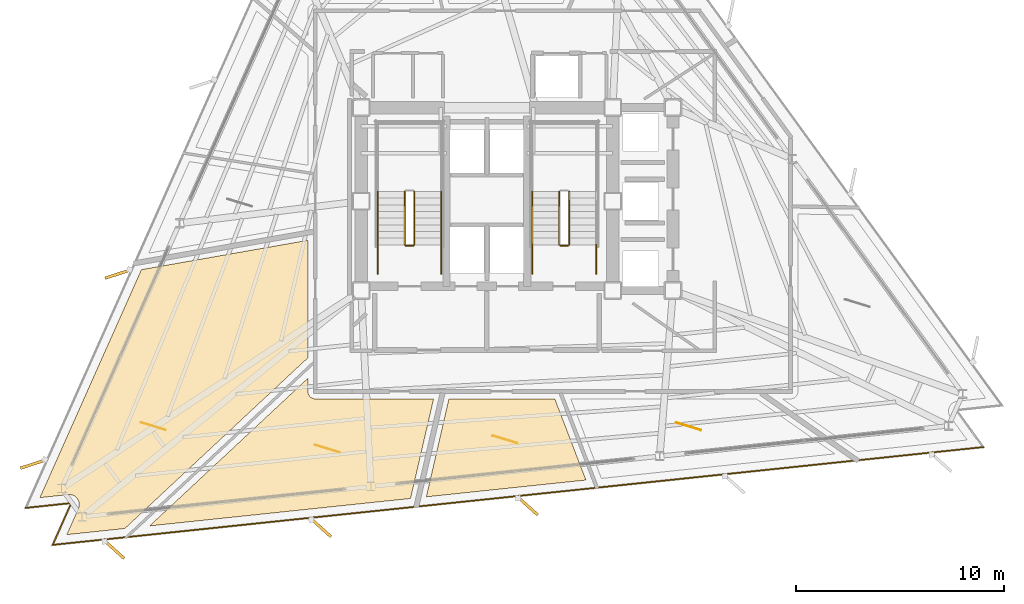
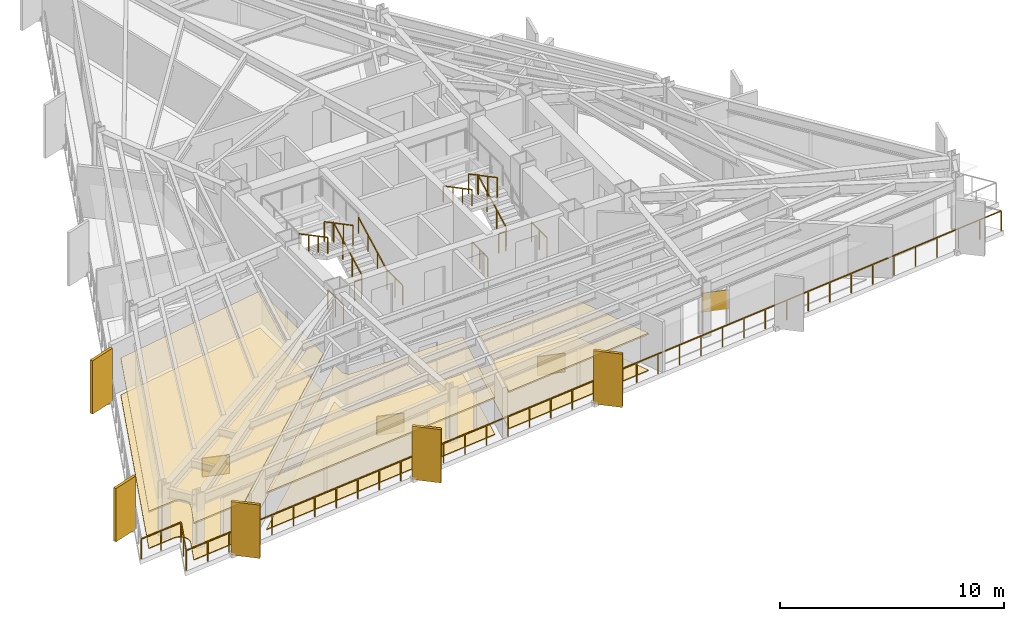
# One storey, part 10 of 12: 14 railings, 10 coverings, 5 shading devices.
"""IFC4 building model written with IfcOpenShell, lengths in metres."""

from ifc_helpers import new_model, si_unit, direction, frame, origin, origin_2d, place, context, subcontext, project, spatial, polyline, rectangle, outline, extrude, material, layer, layer_set, type_object, element, save


model = new_model("IFC4")

# Units and contexts
model_context = context("Model", 3, precision=1e-05, world=origin(), true_north=direction((0.0, 1.0)))
body_context = subcontext(model_context, "Body", "Model", "MODEL_VIEW")
ifc_project = project(units=[si_unit("LENGTHUNIT", "METRE"), si_unit("AREAUNIT", "SQUARE_METRE"), si_unit("VOLUMEUNIT", "CUBIC_METRE"), si_unit("PLANEANGLEUNIT", "RADIAN"), si_unit("MASSUNIT", "GRAM", prefix="KILO")], contexts=[model_context])

# Site, building, storey
site_placement = place(None, origin())
site = spatial("IfcSite", under=ifc_project, at=site_placement, CompositionType="ELEMENT")
building_placement = place(site_placement, origin())
building = spatial("IfcBuilding", under=site, at=building_placement, Name="Rocaltana Carrier Exchange", CompositionType="ELEMENT")
storey_placement = place(building_placement, frame((0.0, 0.0, 113.760009765625)))
storey = spatial("IfcBuildingStorey", under=building, at=storey_placement, Name="L35", CompositionType="ELEMENT", Elevation=113.760009765625)

# Coverings
ifc_material_1 = material(Name="Honed Bogota Sandstone Tile", Category="masonry")
ifc_layer_1 = layer(ifc_material_1, 0.0400390625)
ifc_layer_set_1 = layer_set([ifc_layer_1], Name="Honed Bogota Sandstone Tile")
covering_type_1 = type_object("IfcCoveringType", Name="Honed Stone Lobby Flooring 40", PredefinedType="FLOORING", material=ifc_layer_set_1)
covering_1_placement = place(storey_placement, origin())
element("IfcCovering", 1, at=covering_1_placement, inside=storey, type_object=covering_type_1, Name="L35 Incident Briefing Room Finish Floor", PredefinedType="FLOORING", context=body_context, shape_type="SweptSolid", body=[
    extrude(outline(polyline([(-19.646240234375, -14.78759765625), (-19.640869140625, -14.774658203125), (-19.633544921875, -14.756103515625), (-19.625, -14.7294921875), (-19.61962890625, -14.71044921875), (-19.613525390625, -14.68310546875), (-19.610107421875, -14.66357421875), (-19.606689453125, -14.6357421875), (-19.60546875, -14.615966796875), (-19.60498046875, -14.587890625), (-19.60546875, -14.568115234375), (-19.607666015625, -14.540283203125), (-19.6103515625, -14.5205078125), (-19.615234375, -14.492919921875), (-19.619873046875, -14.4736328125), (-19.62744140625, -14.44677734375), (-19.6337890625, -14.427978515625), (-19.644287109375, -14.402099609375), (-19.652587890625, -14.3837890625), (-19.665283203125, -14.359130859375), (-19.675537109375, -14.341796875), (-19.690673828125, -14.318603515625), (-19.702392578125, -14.30224609375), (-19.719970703125, -14.280517578125), (-19.733154296875, -14.265625), (-19.752685546875, -14.245849609375), (-19.767578125, -14.232421875), (-19.7890625, -14.214599609375), (-19.804931640625, -14.20263671875), (-19.828125, -14.18701171875), (-19.84521484375, -14.176513671875), (-19.86962890625, -14.163330078125), (-19.8876953125, -14.15478515625), (-19.91357421875, -14.14404296875), (-19.932373046875, -14.137451171875), (-19.958984375, -14.12939453125), (-19.978271484375, -14.12451171875), (-20.005615234375, -14.119140625), (-20.025390625, -14.1162109375), (-20.05322265625, -14.113525390625), (-20.072998046875, -14.11279296875), (-20.10107421875, -14.11279296875), (-20.12109375, -14.114013671875), (-20.135009765625, -14.114990234375), (-21.49609375, -14.258056640625), (-16.614990234375, -3.295166015625), (-8.610107421875, -1.8837890625), (-8.610107421875, -7.53662109375), (-17.411865234375, -15.74462890625), (-20.202880859375, -16.037841796875), (-19.646240234375, -14.78759765625)])), origin(), (0.0, 0.0, 1.0), 0.0400390625),
])
covering_2_placement = place(storey_placement, origin())
element("IfcCovering", 2, at=covering_2_placement, inside=storey, type_object=covering_type_1, Name="L35 Peering Conference Room Finish Floor", PredefinedType="FLOORING", context=body_context, shape_type="SweptSolid", body=[
    extrude(outline(polyline([(-16.221923828125, -15.619384765625), (-8.610107421875, -8.521240234375), (-8.610107421875, -9.14990234375), (-8.609619140625, -9.163818359375), (-8.609375, -9.171630859375), (-8.606689453125, -9.198974609375), (-8.60546875, -9.206787109375), (-8.60009765625, -9.233642578125), (-8.59814453125, -9.2412109375), (-8.590087890625, -9.267578125), (-8.58740234375, -9.27490234375), (-8.576904296875, -9.30029296875), (-8.57373046875, -9.307373046875), (-8.560791015625, -9.331787109375), (-8.556640625, -9.33837890625), (-8.54150390625, -9.361083984375), (-8.53662109375, -9.367431640625), (-8.519287109375, -9.388916015625), (-8.513916015625, -9.39453125), (-8.49462890625, -9.4140625), (-8.48876953125, -9.419189453125), (-8.467529296875, -9.436767578125), (-8.461181640625, -9.44140625), (-8.4384765625, -9.456787109375), (-8.431640625, -9.460693359375), (-8.407470703125, -9.4736328125), (-8.400390625, -9.47705078125), (-8.375, -9.487548828125), (-8.36767578125, -9.490234375), (-8.34130859375, -9.498291015625), (-8.33349609375, -9.5), (-8.306640625, -9.50537109375), (-8.298828125, -9.506591796875), (-8.271484375, -9.50927734375), (-8.263671875, -9.509765625), (-8.25, -9.510009765625), (-2.56494140625, -9.510009765625), (-3.6708984375, -14.30029296875), (-16.221923828125, -15.619384765625)])), origin(), (0.0, 0.0, 1.0), 0.0400390625),
])
covering_3_placement = place(storey_placement, origin())
element("IfcCovering", 3, at=covering_3_placement, inside=storey, type_object=covering_type_1, Name="L35 Optical Switching Laboratory Finish Floor", PredefinedType="FLOORING", context=body_context, shape_type="SweptSolid", body=[
    extrude(outline(polyline([(-2.913818359375, -14.220703125), (-1.826171875, -9.510009765625), (3.264892578125, -9.510009765625), (4.763427734375, -13.413818359375), (-2.913818359375, -14.220703125)])), origin(), (0.0, 0.0, 1.0), 0.0400390625),
])
ifc_material_2 = material(Name="Anodised Aluminium 6063-T6", Category="aluminium")
ifc_layer_2 = layer(ifc_material_2, 0.0849609375)
ifc_layer_set_2 = layer_set([ifc_layer_2], Name="Anodised Aluminium 6063-T6")
covering_type_2 = type_object("IfcCoveringType", Name="Linear Baffle Acoustic Ceiling 85", PredefinedType="CEILING", material=ifc_layer_set_2)
covering_4_placement = place(storey_placement, frame((0.0, 0.0, 1.972900390625)))
element("IfcCovering", 4, at=covering_4_placement, inside=storey, type_object=covering_type_2, Name="L35 Incident Briefing Room Acoustic Ceiling", PredefinedType="CEILING", context=body_context, shape_type="SweptSolid", body=[
    extrude(outline(polyline([(-19.646240234375, -14.78759765625), (-19.640869140625, -14.774658203125), (-19.633544921875, -14.756103515625), (-19.625, -14.7294921875), (-19.61962890625, -14.71044921875), (-19.613525390625, -14.68310546875), (-19.610107421875, -14.66357421875), (-19.606689453125, -14.6357421875), (-19.60546875, -14.615966796875), (-19.60498046875, -14.587890625), (-19.60546875, -14.568115234375), (-19.607666015625, -14.540283203125), (-19.6103515625, -14.5205078125), (-19.615234375, -14.492919921875), (-19.619873046875, -14.4736328125), (-19.62744140625, -14.44677734375), (-19.6337890625, -14.427978515625), (-19.644287109375, -14.402099609375), (-19.652587890625, -14.3837890625), (-19.665283203125, -14.359130859375), (-19.675537109375, -14.341796875), (-19.690673828125, -14.318603515625), (-19.702392578125, -14.30224609375), (-19.719970703125, -14.280517578125), (-19.733154296875, -14.265625), (-19.752685546875, -14.245849609375), (-19.767578125, -14.232421875), (-19.7890625, -14.214599609375), (-19.804931640625, -14.20263671875), (-19.828125, -14.18701171875), (-19.84521484375, -14.176513671875), (-19.86962890625, -14.163330078125), (-19.8876953125, -14.15478515625), (-19.91357421875, -14.14404296875), (-19.932373046875, -14.137451171875), (-19.958984375, -14.12939453125), (-19.978271484375, -14.12451171875), (-20.005615234375, -14.119140625), (-20.025390625, -14.1162109375), (-20.05322265625, -14.113525390625), (-20.072998046875, -14.11279296875), (-20.10107421875, -14.11279296875), (-20.12109375, -14.114013671875), (-20.135009765625, -14.114990234375), (-21.49609375, -14.258056640625), (-16.614990234375, -3.295166015625), (-8.610107421875, -1.8837890625), (-8.610107421875, -7.53662109375), (-17.411865234375, -15.74462890625), (-20.202880859375, -16.037841796875), (-19.646240234375, -14.78759765625)])), origin(), (0.0, 0.0, 1.0), 0.085205078125),
])
covering_5_placement = place(storey_placement, frame((0.0, 0.0, 1.972900390625)))
element("IfcCovering", 5, at=covering_5_placement, inside=storey, type_object=covering_type_2, Name="L35 Peering Conference Room Acoustic Ceiling", PredefinedType="CEILING", context=body_context, shape_type="SweptSolid", body=[
    extrude(outline(polyline([(-16.221923828125, -15.619384765625), (-8.610107421875, -8.521240234375), (-8.610107421875, -9.14990234375), (-8.609619140625, -9.163818359375), (-8.609375, -9.171630859375), (-8.606689453125, -9.198974609375), (-8.60546875, -9.206787109375), (-8.60009765625, -9.233642578125), (-8.59814453125, -9.2412109375), (-8.590087890625, -9.267578125), (-8.58740234375, -9.27490234375), (-8.576904296875, -9.30029296875), (-8.57373046875, -9.307373046875), (-8.560791015625, -9.331787109375), (-8.556640625, -9.33837890625), (-8.54150390625, -9.361083984375), (-8.53662109375, -9.367431640625), (-8.519287109375, -9.388916015625), (-8.513916015625, -9.39453125), (-8.49462890625, -9.4140625), (-8.48876953125, -9.419189453125), (-8.467529296875, -9.436767578125), (-8.461181640625, -9.44140625), (-8.4384765625, -9.456787109375), (-8.431640625, -9.460693359375), (-8.407470703125, -9.4736328125), (-8.400390625, -9.47705078125), (-8.375, -9.487548828125), (-8.36767578125, -9.490234375), (-8.34130859375, -9.498291015625), (-8.33349609375, -9.5), (-8.306640625, -9.50537109375), (-8.298828125, -9.506591796875), (-8.271484375, -9.50927734375), (-8.263671875, -9.509765625), (-8.25, -9.510009765625), (-2.56494140625, -9.510009765625), (-3.6708984375, -14.30029296875), (-16.221923828125, -15.619384765625)])), origin(), (0.0, 0.0, 1.0), 0.085205078125),
])
covering_6_placement = place(storey_placement, frame((0.0, 0.0, 1.972900390625)))
element("IfcCovering", 6, at=covering_6_placement, inside=storey, type_object=covering_type_2, Name="L35 Optical Switching Laboratory Acoustic Ceiling", PredefinedType="CEILING", context=body_context, shape_type="SweptSolid", body=[
    extrude(outline(polyline([(-2.913818359375, -14.220703125), (-1.826171875, -9.510009765625), (3.264892578125, -9.510009765625), (4.763427734375, -13.413818359375), (-2.913818359375, -14.220703125)])), origin(), (0.0, 0.0, 1.0), 0.085205078125),
])

# Railings
ifc_material_3 = material(Name="Brushed Architectural Stainless Tube", Category="steel")
ifc_layer_3 = layer(ifc_material_3, 0.048095703125)
ifc_layer_set_3 = layer_set([ifc_layer_3], Name="Brushed Architectural Stainless Tube")
railing_type_1 = type_object("IfcRailingType", Name="Stair Wall Handrail 920", PredefinedType="HANDRAIL", material=ifc_layer_set_3)
railing_1_placement = place(storey_placement, frame((-2.18994140625, -2.10009765625, 0.1689453125)))
element("IfcRailing", 7, at=railing_1_placement, inside=storey, type_object=railing_type_1, Name="L35 ST-1 stair handrail 1", PredefinedType="HANDRAIL", context=body_context, shape_type="SweptSolid", body=[
    extrude(rectangle(XDim=0.048095703125, YDim=0.048095703125, at=origin_2d()), frame((0.0, 0.0, 0.8759765625), z_axis=(0.0, 0.884394423565, 0.466740295633), x_axis=(-1.0, 0.0, 0.0)), (0.0, 0.0, 1.0), 2.894775390625),
    extrude(rectangle(XDim=0.0419921875, YDim=0.0419921875, at=origin_2d()), origin(), (0.0, 0.0, 1.0), 0.851806640625),
    extrude(rectangle(XDim=0.0419921875, YDim=0.0419921875, at=origin_2d()), frame((0.0, 0.853271484375, 0.450439453125)), (0.0, 0.0, 1.0), 0.851806640625),
    extrude(rectangle(XDim=0.0419921875, YDim=0.0419921875, at=origin_2d()), frame((0.0, 1.706787109375, 0.900634765625)), (0.0, 0.0, 1.0), 0.851806640625),
    extrude(rectangle(XDim=0.0419921875, YDim=0.0419921875, at=origin_2d()), frame((0.0, 2.56005859375, 1.35107421875)), (0.0, 0.0, 1.0), 0.851806640625),
])
for number, where, name in (
    (8, (-5.25, 0.4599609375, 1.68896484375), "L35 ST-1 stair handrail 2"),
    (9, (2.18994140625, 0.4599609375, 1.68896484375), "L35 ST-2 stair handrail 2"),
):
    element("IfcRailing", number, at=place(storey_placement, frame(where)), inside=storey, type_object=railing_type_1, Name=name, PredefinedType="HANDRAIL", context=body_context, shape_type="SweptSolid", body=[
        extrude(rectangle(XDim=0.048095703125, YDim=0.048095703125, at=origin_2d()), frame((0.0, 0.0, 0.8759765625), z_axis=(0.0, -0.884394423565, 0.466740295633), x_axis=(1.0, 0.0, 0.0)), (0.0, 0.0, 1.0), 2.894775390625),
        extrude(rectangle(XDim=0.0419921875, YDim=0.0419921875, at=origin_2d()), origin(), (0.0, 0.0, 1.0), 0.851806640625),
        extrude(rectangle(XDim=0.0419921875, YDim=0.0419921875, at=origin_2d()), frame((0.0, -0.853271484375, 0.450439453125)), (0.0, 0.0, 1.0), 0.851806640625),
        extrude(rectangle(XDim=0.0419921875, YDim=0.0419921875, at=origin_2d()), frame((0.0, -1.706787109375, 0.900634765625)), (0.0, 0.0, 1.0), 0.851806640625),
        extrude(rectangle(XDim=0.0419921875, YDim=0.0419921875, at=origin_2d()), frame((0.0, -2.56005859375, 1.35107421875)), (0.0, 0.0, 1.0), 0.851806640625),
    ])
ifc_material_4 = material(Name="Powder-Coated Aluminium 6063-T6", Category="aluminium")
ifc_layer_4 = layer(ifc_material_4, 0.048095703125)
ifc_layer_set_4 = layer_set([ifc_layer_4], Name="Powder-Coated Aluminium 6063-T6")
railing_type_2 = type_object("IfcRailingType", Name="Stair Well Guardrail 1100", PredefinedType="GUARDRAIL", material=ifc_layer_set_4)
railing_2_placement = place(storey_placement, frame((-3.489990234375, -2.10009765625, 0.1689453125)))
element("IfcRailing", 10, at=railing_2_placement, inside=storey, type_object=railing_type_2, Name="L35 ST-1 stair guard 1", PredefinedType="GUARDRAIL", context=body_context, shape_type="SweptSolid", body=[
    extrude(rectangle(XDim=0.048095703125, YDim=0.048095703125, at=origin_2d()), frame((0.0, 0.0, 1.076171875), z_axis=(0.0, 0.884394423565, 0.466740295633), x_axis=(-1.0, 0.0, 0.0)), (0.0, 0.0, 1.0), 2.894775390625),
    extrude(rectangle(XDim=0.0419921875, YDim=0.0419921875, at=origin_2d()), origin(), (0.0, 0.0, 1.0), 1.052001953125),
    extrude(rectangle(XDim=0.0419921875, YDim=0.0419921875, at=origin_2d()), frame((0.0, 0.853271484375, 0.450439453125)), (0.0, 0.0, 1.0), 1.052001953125),
    extrude(rectangle(XDim=0.0419921875, YDim=0.0419921875, at=origin_2d()), frame((0.0, 1.706787109375, 0.900634765625)), (0.0, 0.0, 1.0), 1.052001953125),
    extrude(rectangle(XDim=0.0419921875, YDim=0.0419921875, at=origin_2d()), frame((0.0, 2.56005859375, 1.35107421875)), (0.0, 0.0, 1.0), 1.052001953125),
])
railing_3_placement = place(storey_placement, frame((-3.949951171875, 0.4599609375, 1.68896484375)))
element("IfcRailing", 11, at=railing_3_placement, inside=storey, type_object=railing_type_2, Name="L35 ST-1 stair guard 6", PredefinedType="GUARDRAIL", context=body_context, shape_type="SweptSolid", body=[
    extrude(rectangle(XDim=0.048095703125, YDim=0.048095703125, at=origin_2d()), frame((0.0, 0.0, 1.076171875), z_axis=(0.0, -0.884394423565, 0.466740295633), x_axis=(1.0, 0.0, 0.0)), (0.0, 0.0, 1.0), 2.894775390625),
    extrude(rectangle(XDim=0.0419921875, YDim=0.0419921875, at=origin_2d()), origin(), (0.0, 0.0, 1.0), 1.052001953125),
    extrude(rectangle(XDim=0.0419921875, YDim=0.0419921875, at=origin_2d()), frame((0.0, -0.853271484375, 0.450439453125)), (0.0, 0.0, 1.0), 1.052001953125),
    extrude(rectangle(XDim=0.0419921875, YDim=0.0419921875, at=origin_2d()), frame((0.0, -1.706787109375, 0.900634765625)), (0.0, 0.0, 1.0), 1.052001953125),
    extrude(rectangle(XDim=0.0419921875, YDim=0.0419921875, at=origin_2d()), frame((0.0, -2.56005859375, 1.35107421875)), (0.0, 0.0, 1.0), 1.052001953125),
])
railing_4_placement = place(storey_placement, frame((-3.5400390625, -2.14990234375, 0.0)))
element("IfcRailing", 12, at=railing_4_placement, inside=storey, type_object=railing_type_2, Name="L35 ST-1 stair guard 7", PredefinedType="GUARDRAIL", context=body_context, shape_type="SweptSolid", body=[
    extrude(rectangle(XDim=0.048095703125, YDim=0.048095703125, at=origin_2d()), frame((0.0, 0.0, 1.076171875), z_axis=(-1.0, 0.0, 0.0), x_axis=(0.0, -1.0, 0.0)), (0.0, 0.0, 1.0), 0.35986328125),
    extrude(rectangle(XDim=0.0419921875, YDim=0.0419921875, at=origin_2d()), origin(), (0.0, 0.0, 1.0), 1.052001953125),
    extrude(rectangle(XDim=0.0419921875, YDim=0.0419921875, at=origin_2d()), frame((-0.35986328125, 0.0, 0.0)), (0.0, 0.0, 1.0), 1.052001953125),
])
for number, where, name in (
    (13, (-2.18994140625, -3.5, 0.0), "L35 ST-1 stair guard 8"),
    (14, (-5.25, -3.5, 0.0), "L35 ST-1 stair guard 9"),
):
    element("IfcRailing", number, at=place(storey_placement, frame(where)), inside=storey, type_object=railing_type_2, Name=name, PredefinedType="GUARDRAIL", context=body_context, shape_type="SweptSolid", body=[
        extrude(rectangle(XDim=0.048095703125, YDim=0.048095703125, at=origin_2d()), frame((0.0, 0.0, 1.076171875), z_axis=(0.0, 1.0, 0.0), x_axis=(-1.0, 0.0, 0.0)), (0.0, 0.0, 1.0), 1.39990234375),
        extrude(rectangle(XDim=0.0419921875, YDim=0.0419921875, at=origin_2d()), origin(), (0.0, 0.0, 1.0), 1.052001953125),
        extrude(rectangle(XDim=0.0419921875, YDim=0.0419921875, at=origin_2d()), frame((0.0, 0.699951171875, 0.0)), (0.0, 0.0, 1.0), 1.052001953125),
        extrude(rectangle(XDim=0.0419921875, YDim=0.0419921875, at=origin_2d()), frame((0.0, 1.39990234375, 0.0)), (0.0, 0.0, 1.0), 1.052001953125),
    ])
railing_5_placement = place(storey_placement, frame((3.949951171875, -2.10009765625, 0.1689453125)))
element("IfcRailing", 15, at=railing_5_placement, inside=storey, type_object=railing_type_2, Name="L35 ST-2 stair guard 1", PredefinedType="GUARDRAIL", context=body_context, shape_type="SweptSolid", body=[
    extrude(rectangle(XDim=0.048095703125, YDim=0.048095703125, at=origin_2d()), frame((0.0, 0.0, 1.076171875), z_axis=(0.0, 0.884394423565, 0.466740295633), x_axis=(-1.0, 0.0, 0.0)), (0.0, 0.0, 1.0), 2.894775390625),
    extrude(rectangle(XDim=0.0419921875, YDim=0.0419921875, at=origin_2d()), origin(), (0.0, 0.0, 1.0), 1.052001953125),
    extrude(rectangle(XDim=0.0419921875, YDim=0.0419921875, at=origin_2d()), frame((0.0, 0.853271484375, 0.450439453125)), (0.0, 0.0, 1.0), 1.052001953125),
    extrude(rectangle(XDim=0.0419921875, YDim=0.0419921875, at=origin_2d()), frame((0.0, 1.706787109375, 0.900634765625)), (0.0, 0.0, 1.0), 1.052001953125),
    extrude(rectangle(XDim=0.0419921875, YDim=0.0419921875, at=origin_2d()), frame((0.0, 2.56005859375, 1.35107421875)), (0.0, 0.0, 1.0), 1.052001953125),
])
railing_6_placement = place(storey_placement, frame((3.489990234375, 0.4599609375, 1.68896484375)))
element("IfcRailing", 16, at=railing_6_placement, inside=storey, type_object=railing_type_2, Name="L35 ST-2 stair guard 6", PredefinedType="GUARDRAIL", context=body_context, shape_type="SweptSolid", body=[
    extrude(rectangle(XDim=0.048095703125, YDim=0.048095703125, at=origin_2d()), frame((0.0, 0.0, 1.076171875), z_axis=(0.0, -0.884394423565, 0.466740295633), x_axis=(1.0, 0.0, 0.0)), (0.0, 0.0, 1.0), 2.894775390625),
    extrude(rectangle(XDim=0.0419921875, YDim=0.0419921875, at=origin_2d()), origin(), (0.0, 0.0, 1.0), 1.052001953125),
    extrude(rectangle(XDim=0.0419921875, YDim=0.0419921875, at=origin_2d()), frame((0.0, -0.853271484375, 0.450439453125)), (0.0, 0.0, 1.0), 1.052001953125),
    extrude(rectangle(XDim=0.0419921875, YDim=0.0419921875, at=origin_2d()), frame((0.0, -1.706787109375, 0.900634765625)), (0.0, 0.0, 1.0), 1.052001953125),
    extrude(rectangle(XDim=0.0419921875, YDim=0.0419921875, at=origin_2d()), frame((0.0, -2.56005859375, 1.35107421875)), (0.0, 0.0, 1.0), 1.052001953125),
])
railing_7_placement = place(storey_placement, frame((3.89990234375, -2.14990234375, 0.0)))
element("IfcRailing", 17, at=railing_7_placement, inside=storey, type_object=railing_type_2, Name="L35 ST-2 stair guard 7", PredefinedType="GUARDRAIL", context=body_context, shape_type="SweptSolid", body=[
    extrude(rectangle(XDim=0.048095703125, YDim=0.048095703125, at=origin_2d()), frame((0.0, 0.0, 1.076171875), z_axis=(-1.0, 0.0, 0.0), x_axis=(0.0, -1.0, 0.0)), (0.0, 0.0, 1.0), 0.35986328125),
    extrude(rectangle(XDim=0.0419921875, YDim=0.0419921875, at=origin_2d()), origin(), (0.0, 0.0, 1.0), 1.052001953125),
    extrude(rectangle(XDim=0.0419921875, YDim=0.0419921875, at=origin_2d()), frame((-0.35986328125, 0.0, 0.0)), (0.0, 0.0, 1.0), 1.052001953125),
])
for number, where, name in (
    (18, (5.25, -3.5, 0.0), "L35 ST-2 stair guard 8"),
    (19, (2.18994140625, -3.5, 0.0), "L35 ST-2 stair guard 9"),
):
    element("IfcRailing", number, at=place(storey_placement, frame(where)), inside=storey, type_object=railing_type_2, Name=name, PredefinedType="GUARDRAIL", context=body_context, shape_type="SweptSolid", body=[
        extrude(rectangle(XDim=0.048095703125, YDim=0.048095703125, at=origin_2d()), frame((0.0, 0.0, 1.076171875), z_axis=(0.0, 1.0, 0.0), x_axis=(-1.0, 0.0, 0.0)), (0.0, 0.0, 1.0), 1.39990234375),
        extrude(rectangle(XDim=0.0419921875, YDim=0.0419921875, at=origin_2d()), origin(), (0.0, 0.0, 1.0), 1.052001953125),
        extrude(rectangle(XDim=0.0419921875, YDim=0.0419921875, at=origin_2d()), frame((0.0, 0.699951171875, 0.0)), (0.0, 0.0, 1.0), 1.052001953125),
        extrude(rectangle(XDim=0.0419921875, YDim=0.0419921875, at=origin_2d()), frame((0.0, 1.39990234375, 0.0)), (0.0, 0.0, 1.0), 1.052001953125),
    ])

# Coverings
ifc_material_5 = material(Name="Honed Piedra Muneca Sandstone", Category="masonry")
ifc_layer_5 = layer(ifc_material_5, 0.034912109375)
ifc_layer_set_5 = layer_set([ifc_layer_5], Name="Honed Piedra Muneca Sandstone")
covering_type_3 = type_object("IfcCoveringType", Name="Stone Facade Cladding 35", PredefinedType="CLADDING", material=ifc_layer_set_5)
for number, where, z_axis, x_axis, name in (
    (20, (-16.0517578125, -10.82470703125, 0.0), (0.0, 0.0, 1.0), (-0.956304755963, 0.292371704723, 0.0), "L35 Stone Facade Cladding Panel 2"),
    (21, (-7.678466796875, -11.9052734375, 0.0), (0.0, 0.0, 1.0), (-0.956304755963, 0.292371704723, 0.0), "L35 Stone Facade Cladding Panel 3"),
    (22, (0.86865234375, -11.4619140625, 0.0), (0.0, 0.0, 1.0), (-0.956304755963, 0.292371704723, 0.0), "L35 Stone Facade Cladding Panel 4"),
    (23, (9.693603515625, -10.8330078125, 0.0), (0.0, 0.0, 1.0), (-0.956304755963, 0.292371704723, 0.0), "L35 Stone Facade Cladding Panel 5"),
):
    element("IfcCovering", number, at=place(storey_placement, frame(where, z_axis=z_axis, x_axis=x_axis)), inside=storey, type_object=covering_type_3, Name=name, PredefinedType="CLADDING", context=body_context, shape_type="SweptSolid", body=[
        extrude(rectangle(XDim=1.25, YDim=0.034912109375, at=origin_2d()), origin(), (0.0, 0.0, 1.0), 1.050048828125),
    ])

# Shading devices
ifc_material_6 = material(Name="Honed Bogota Sandstone & Concrete C45/55", Category="masonry")
ifc_layer_6 = layer(ifc_material_6, 0.139892578125)
ifc_layer_set_6 = layer_set([ifc_layer_6], Name="Honed Bogota Sandstone & Concrete C45/55")
shading_device_type = type_object("IfcShadingDeviceType", Name="Vertical Sandstone Shading Fin 1320x140", PredefinedType="USERDEFINED", material=ifc_layer_set_6)
for number, where, z_axis, x_axis, name in (
    (24, (-17.7373046875, -3.50341796875, -0.1201171875), (0.0, 0.0, 1.0), (-0.951056516295, -0.309016994375, 0.0), "L35 Sandstone Vertical Fin F2-04"),
    (25, (-21.8046875, -12.638671875, -0.1201171875), (0.0, 0.0, 1.0), (-0.951056516295, -0.309016994375, 0.0), "L35 Sandstone Vertical Fin F2-05"),
    (26, (-17.93310546875, -16.745361328125, -0.1201171875), (0.0, 0.0, 1.0), (0.743144825477, -0.669130606359, 0.0), "L35 Sandstone Vertical Fin F3-01"),
    (27, (-7.98779296875, -15.699951171875, -0.1201171875), (0.0, 0.0, 1.0), (0.743144825477, -0.669130606359, 0.0), "L35 Sandstone Vertical Fin F3-02"),
    (28, (1.95751953125, -14.65478515625, -0.1201171875), (0.0, 0.0, 1.0), (0.743144825477, -0.669130606359, 0.0), "L35 Sandstone Vertical Fin F3-03"),
):
    element("IfcShadingDevice", number, at=place(storey_placement, frame(where, z_axis=z_axis, x_axis=x_axis)), inside=storey, type_object=shading_device_type, Name=name, ObjectType="FIN", PredefinedType="USERDEFINED", context=body_context, shape_type="SweptSolid", body=[
        extrude(rectangle(XDim=1.320068359375, YDim=0.139892578125, at=origin_2d()), origin(), (0.0, 0.0, 1.0), 2.907958984375),
    ])

# Railing
ifc_material_7 = material(Name="Powder-Coated Aluminium 6063-T6", Category="aluminium")
ifc_layer_7 = layer(ifc_material_7, 0.06005859375)
ifc_layer_set_7 = layer_set([ifc_layer_7], Name="Powder-Coated Aluminium 6063-T6")
railing_type_3 = type_object("IfcRailingType", Name="Wind-Floor & Terrace Perimeter Guardrail 1100", PredefinedType="GUARDRAIL", material=ifc_layer_set_7)
railing_8_placement = place(storey_placement, frame((23.86328125, -11.82861328125, 0.0)))
element("IfcRailing", 29, at=railing_8_placement, inside=storey, type_object=railing_type_3, Name="L35 Perimeter Balcony Guardrail 1", PredefinedType="GUARDRAIL", context=body_context, shape_type="SweptSolid", body=[
    extrude(rectangle(XDim=0.048095703125, YDim=0.048095703125, at=origin_2d()), frame((0.0, 0.0, 1.076171875), z_axis=(-0.994521497127, -0.104532252211, 0.0), x_axis=(0.104532252211, -0.994521497127, 0.0)), (0.0, 0.0, 1.0), 44.9921875),
    extrude(rectangle(XDim=0.048095703125, YDim=0.048095703125, at=origin_2d()), frame((-44.74560546875, -4.703125, 1.076171875), z_axis=(0.406725294076, 0.913550510459, 0.0), x_axis=(-0.913550510459, 0.406725294076, 0.0)), (0.0, 0.0, 1.0), 2.199951171875),
    extrude(rectangle(XDim=0.048095703125, YDim=0.048095703125, at=origin_2d()), frame((-43.850830078125, -2.693359375, 1.076171875), z_axis=(-0.994521251134, -0.104534592565, 0.0), x_axis=(0.104534592565, -0.994521251134, 0.0)), (0.0, 0.0, 1.0), 2.199951171875),
    extrude(rectangle(XDim=0.0419921875, YDim=0.0419921875, at=origin_2d()), origin(), (0.0, 0.0, 1.0), 1.052001953125),
    extrude(rectangle(XDim=0.0419921875, YDim=0.0419921875, at=origin_2d()), frame((-1.177490234375, -0.123779296875, 0.0)), (0.0, 0.0, 1.0), 1.052001953125),
    extrude(rectangle(XDim=0.0419921875, YDim=0.0419921875, at=origin_2d()), frame((-2.35498046875, -0.24755859375, 0.0)), (0.0, 0.0, 1.0), 1.052001953125),
    extrude(rectangle(XDim=0.0419921875, YDim=0.0419921875, at=origin_2d()), frame((-3.532470703125, -0.371337890625, 0.0)), (0.0, 0.0, 1.0), 1.052001953125),
    extrude(rectangle(XDim=0.0419921875, YDim=0.0419921875, at=origin_2d()), frame((-4.7099609375, -0.4951171875, 0.0)), (0.0, 0.0, 1.0), 1.052001953125),
    extrude(rectangle(XDim=0.0419921875, YDim=0.0419921875, at=origin_2d()), frame((-5.8876953125, -0.618896484375, 0.0)), (0.0, 0.0, 1.0), 1.052001953125),
    extrude(rectangle(XDim=0.0419921875, YDim=0.0419921875, at=origin_2d()), frame((-7.065185546875, -0.74267578125, 0.0)), (0.0, 0.0, 1.0), 1.052001953125),
    extrude(rectangle(XDim=0.0419921875, YDim=0.0419921875, at=origin_2d()), frame((-8.24267578125, -0.866455078125, 0.0)), (0.0, 0.0, 1.0), 1.052001953125),
    extrude(rectangle(XDim=0.0419921875, YDim=0.0419921875, at=origin_2d()), frame((-9.420166015625, -0.990234375, 0.0)), (0.0, 0.0, 1.0), 1.052001953125),
    extrude(rectangle(XDim=0.0419921875, YDim=0.0419921875, at=origin_2d()), frame((-10.59765625, -1.114013671875, 0.0)), (0.0, 0.0, 1.0), 1.052001953125),
    extrude(rectangle(XDim=0.0419921875, YDim=0.0419921875, at=origin_2d()), frame((-11.775146484375, -1.237548828125, 0.0)), (0.0, 0.0, 1.0), 1.052001953125),
    extrude(rectangle(XDim=0.0419921875, YDim=0.0419921875, at=origin_2d()), frame((-12.95263671875, -1.361328125, 0.0)), (0.0, 0.0, 1.0), 1.052001953125),
    extrude(rectangle(XDim=0.0419921875, YDim=0.0419921875, at=origin_2d()), frame((-14.130126953125, -1.485107421875, 0.0)), (0.0, 0.0, 1.0), 1.052001953125),
    extrude(rectangle(XDim=0.0419921875, YDim=0.0419921875, at=origin_2d()), frame((-15.3076171875, -1.60888671875, 0.0)), (0.0, 0.0, 1.0), 1.052001953125),
    extrude(rectangle(XDim=0.0419921875, YDim=0.0419921875, at=origin_2d()), frame((-16.485107421875, -1.732666015625, 0.0)), (0.0, 0.0, 1.0), 1.052001953125),
    extrude(rectangle(XDim=0.0419921875, YDim=0.0419921875, at=origin_2d()), frame((-17.662841796875, -1.8564453125, 0.0)), (0.0, 0.0, 1.0), 1.052001953125),
    extrude(rectangle(XDim=0.0419921875, YDim=0.0419921875, at=origin_2d()), frame((-18.84033203125, -1.980224609375, 0.0)), (0.0, 0.0, 1.0), 1.052001953125),
    extrude(rectangle(XDim=0.0419921875, YDim=0.0419921875, at=origin_2d()), frame((-20.017822265625, -2.10400390625, 0.0)), (0.0, 0.0, 1.0), 1.052001953125),
    extrude(rectangle(XDim=0.0419921875, YDim=0.0419921875, at=origin_2d()), frame((-21.1953125, -2.227783203125, 0.0)), (0.0, 0.0, 1.0), 1.052001953125),
    extrude(rectangle(XDim=0.0419921875, YDim=0.0419921875, at=origin_2d()), frame((-22.372802734375, -2.3515625, 0.0)), (0.0, 0.0, 1.0), 1.052001953125),
    extrude(rectangle(XDim=0.0419921875, YDim=0.0419921875, at=origin_2d()), frame((-23.55029296875, -2.475341796875, 0.0)), (0.0, 0.0, 1.0), 1.052001953125),
    extrude(rectangle(XDim=0.0419921875, YDim=0.0419921875, at=origin_2d()), frame((-24.727783203125, -2.59912109375, 0.0)), (0.0, 0.0, 1.0), 1.052001953125),
    extrude(rectangle(XDim=0.0419921875, YDim=0.0419921875, at=origin_2d()), frame((-25.9052734375, -2.722900390625, 0.0)), (0.0, 0.0, 1.0), 1.052001953125),
    extrude(rectangle(XDim=0.0419921875, YDim=0.0419921875, at=origin_2d()), frame((-27.082763671875, -2.8466796875, 0.0)), (0.0, 0.0, 1.0), 1.052001953125),
    extrude(rectangle(XDim=0.0419921875, YDim=0.0419921875, at=origin_2d()), frame((-28.260498046875, -2.970458984375, 0.0)), (0.0, 0.0, 1.0), 1.052001953125),
    extrude(rectangle(XDim=0.0419921875, YDim=0.0419921875, at=origin_2d()), frame((-29.43798828125, -3.09423828125, 0.0)), (0.0, 0.0, 1.0), 1.052001953125),
    extrude(rectangle(XDim=0.0419921875, YDim=0.0419921875, at=origin_2d()), frame((-30.615478515625, -3.218017578125, 0.0)), (0.0, 0.0, 1.0), 1.052001953125),
    extrude(rectangle(XDim=0.0419921875, YDim=0.0419921875, at=origin_2d()), frame((-31.79296875, -3.341796875, 0.0)), (0.0, 0.0, 1.0), 1.052001953125),
    extrude(rectangle(XDim=0.0419921875, YDim=0.0419921875, at=origin_2d()), frame((-32.970458984375, -3.465576171875, 0.0)), (0.0, 0.0, 1.0), 1.052001953125),
    extrude(rectangle(XDim=0.0419921875, YDim=0.0419921875, at=origin_2d()), frame((-34.14794921875, -3.589111328125, 0.0)), (0.0, 0.0, 1.0), 1.052001953125),
    extrude(rectangle(XDim=0.0419921875, YDim=0.0419921875, at=origin_2d()), frame((-35.325439453125, -3.712890625, 0.0)), (0.0, 0.0, 1.0), 1.052001953125),
    extrude(rectangle(XDim=0.0419921875, YDim=0.0419921875, at=origin_2d()), frame((-36.5029296875, -3.836669921875, 0.0)), (0.0, 0.0, 1.0), 1.052001953125),
    extrude(rectangle(XDim=0.0419921875, YDim=0.0419921875, at=origin_2d()), frame((-37.680419921875, -3.96044921875, 0.0)), (0.0, 0.0, 1.0), 1.052001953125),
    extrude(rectangle(XDim=0.0419921875, YDim=0.0419921875, at=origin_2d()), frame((-38.85791015625, -4.084228515625, 0.0)), (0.0, 0.0, 1.0), 1.052001953125),
    extrude(rectangle(XDim=0.0419921875, YDim=0.0419921875, at=origin_2d()), frame((-40.03564453125, -4.2080078125, 0.0)), (0.0, 0.0, 1.0), 1.052001953125),
    extrude(rectangle(XDim=0.0419921875, YDim=0.0419921875, at=origin_2d()), frame((-41.213134765625, -4.331787109375, 0.0)), (0.0, 0.0, 1.0), 1.052001953125),
    extrude(rectangle(XDim=0.0419921875, YDim=0.0419921875, at=origin_2d()), frame((-42.390625, -4.45556640625, 0.0)), (0.0, 0.0, 1.0), 1.052001953125),
    extrude(rectangle(XDim=0.0419921875, YDim=0.0419921875, at=origin_2d()), frame((-43.568115234375, -4.579345703125, 0.0)), (0.0, 0.0, 1.0), 1.052001953125),
    extrude(rectangle(XDim=0.0419921875, YDim=0.0419921875, at=origin_2d()), frame((-44.74560546875, -4.703125, 0.0)), (0.0, 0.0, 1.0), 1.052001953125),
    extrude(rectangle(XDim=0.0419921875, YDim=0.0419921875, at=origin_2d()), frame((-44.29833984375, -3.6982421875, 0.0)), (0.0, 0.0, 1.0), 1.052001953125),
    extrude(rectangle(XDim=0.0419921875, YDim=0.0419921875, at=origin_2d()), frame((-43.850830078125, -2.693359375, 0.0)), (0.0, 0.0, 1.0), 1.052001953125),
    extrude(rectangle(XDim=0.0419921875, YDim=0.0419921875, at=origin_2d()), frame((-44.94482421875, -2.808349609375, 0.0)), (0.0, 0.0, 1.0), 1.052001953125),
    extrude(rectangle(XDim=0.0419921875, YDim=0.0419921875, at=origin_2d()), frame((-46.038818359375, -2.92333984375, 0.0)), (0.0, 0.0, 1.0), 1.052001953125),
])

save(model, "model.ifc")
